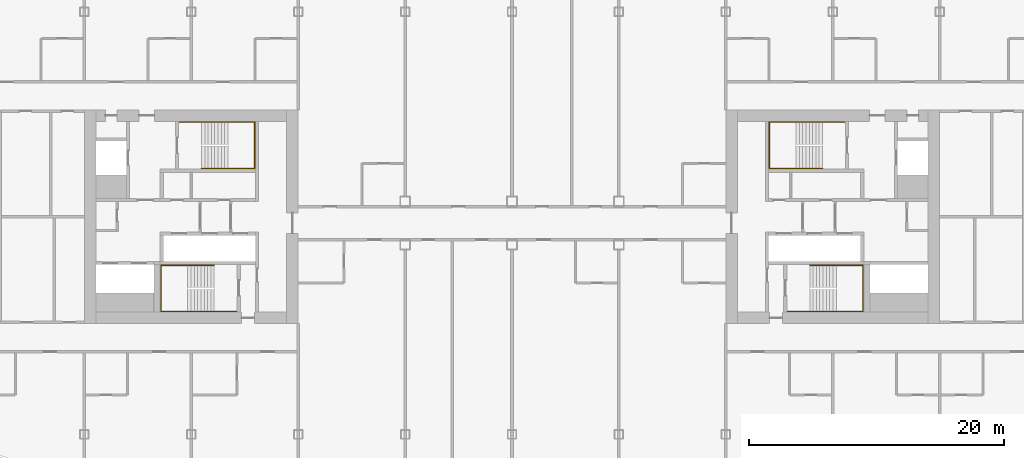
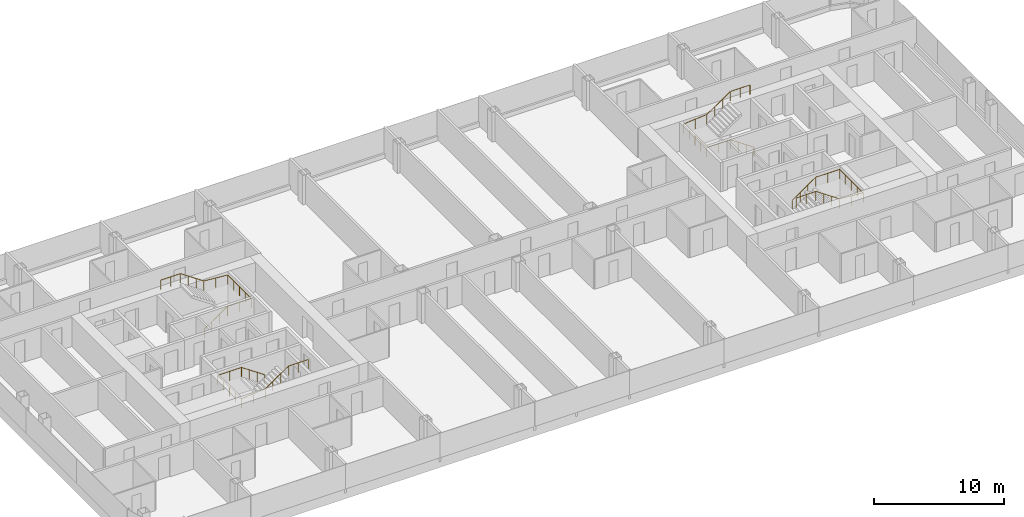
# One storey, part 25 of 25: 4 railings.
"""IFC4 building model written with IfcOpenShell, lengths in metres."""

from ifc_helpers import new_model, si_unit, direction, frame, origin, origin_2d, place, context, subcontext, project, spatial, circle, extrude, material, type_object, element, save


model = new_model("IFC4")

# Units and contexts
model_context = context("Model", 3, precision=1e-05, world=origin(), true_north=direction((0.0, 1.0)))
body_context = subcontext(model_context, "Body", "Model", "MODEL_VIEW")
ifc_project = project(units=[si_unit("LENGTHUNIT", "METRE"), si_unit("AREAUNIT", "SQUARE_METRE"), si_unit("VOLUMEUNIT", "CUBIC_METRE"), si_unit("PLANEANGLEUNIT", "RADIAN"), si_unit("MASSUNIT", "GRAM", prefix="KILO")], contexts=[model_context])

# Site, building, storey
site_placement = place(None, origin())
site = spatial("IfcSite", under=ifc_project, at=site_placement, CompositionType="ELEMENT")
building_placement = place(site_placement, origin())
building = spatial("IfcBuilding", under=site, at=building_placement, Name="Hakoniwa Tower and Hamabe Station Hall", CompositionType="ELEMENT")
storey_placement = place(building_placement, frame((0.0, 0.0, 147.0)))
storey = spatial("IfcBuildingStorey", under=building, at=storey_placement, Name="L41", CompositionType="ELEMENT", Elevation=147.0)

# Railings
ifc_material = material(Name="Stainless steel SUS304", Category="steel")
railing_type = type_object("IfcRailingType", Name="STAIR HANDRAIL 900", PredefinedType="HANDRAIL", material=ifc_material)
railing_1_placement = place(storey_placement, frame((-24.39990234375, 3.81005859375, 0.177734375)))
element("IfcRailing", 1, at=railing_1_placement, inside=storey, type_object=railing_type, Name="Handrail ST-1 L41 1", PredefinedType="HANDRAIL", context=body_context, shape_type="SweptSolid", body=[
    extrude(circle(Radius=0.02392578125, at=origin_2d()), frame((0.0, 0.0, 0.8759765625), z_axis=(0.825433201882, 0.0, 0.564499804456), x_axis=(0.0, 1.0, 0.0)), (0.0, 0.0, 1.0), 2.519775390625),
    extrude(circle(Radius=0.02392578125, at=origin_2d()), frame((2.079833984375, 0.0, 2.29833984375), z_axis=(1.0, 0.0, 0.0), x_axis=(0.0, 1.0, 0.0)), (0.0, 0.0, 1.0), 2.110107421875),
    extrude(circle(Radius=0.02392578125, at=origin_2d()), frame((4.18994140625, 0.0, 2.29833984375), z_axis=(0.0, 1.0, 0.0), x_axis=(-1.0, 0.0, 0.0)), (0.0, 0.0, 1.0), 3.6298828125),
    extrude(circle(Radius=0.02392578125, at=origin_2d()), frame((4.18994140625, 3.6298828125, 2.29833984375), z_axis=(-0.996471417081, 0.0, 0.083932800143), x_axis=(0.0, -1.0, 0.0)), (0.0, 0.0, 1.0), 2.11767578125),
    extrude(circle(Radius=0.02392578125, at=origin_2d()), frame((2.079833984375, 3.6298828125, 2.47607421875), z_axis=(-0.825478349766, 0.0, 0.564433781827), x_axis=(0.0, -1.0, 0.0)), (0.0, 0.0, 1.0), 2.51953125),
    extrude(circle(Radius=0.02392578125, at=origin_2d()), frame((0.0, 3.6298828125, 3.89794921875), z_axis=(-1.0, 0.0, 0.0), x_axis=(0.0, -1.0, 0.0)), (0.0, 0.0, 1.0), 1.739990234375),
    extrude(circle(Radius=0.02099609375, at=origin_2d()), origin(), (0.0, 0.0, 1.0), 0.851806640625),
    extrude(circle(Radius=0.02099609375, at=origin_2d()), frame((0.693359375, 0.0, 0.47412109375)), (0.0, 0.0, 1.0), 0.851806640625),
    extrude(circle(Radius=0.02099609375, at=origin_2d()), frame((1.386474609375, 0.0, 0.9482421875)), (0.0, 0.0, 1.0), 0.851806640625),
    extrude(circle(Radius=0.02099609375, at=origin_2d()), frame((2.079833984375, 0.0, 1.42236328125)), (0.0, 0.0, 1.0), 0.851806640625),
    extrude(circle(Radius=0.02099609375, at=origin_2d()), frame((3.134765625, 0.0, 1.42236328125)), (0.0, 0.0, 1.0), 0.851806640625),
    extrude(circle(Radius=0.02099609375, at=origin_2d()), frame((4.18994140625, 0.0, 1.42236328125)), (0.0, 0.0, 1.0), 0.851806640625),
    extrude(circle(Radius=0.02099609375, at=origin_2d()), frame((4.18994140625, 0.907470703125, 1.42236328125)), (0.0, 0.0, 1.0), 0.851806640625),
    extrude(circle(Radius=0.02099609375, at=origin_2d()), frame((4.18994140625, 1.81494140625, 1.42236328125)), (0.0, 0.0, 1.0), 0.851806640625),
    extrude(circle(Radius=0.02099609375, at=origin_2d()), frame((4.18994140625, 2.722412109375, 1.42236328125)), (0.0, 0.0, 1.0), 0.851806640625),
    extrude(circle(Radius=0.02099609375, at=origin_2d()), frame((4.18994140625, 3.6298828125, 1.42236328125)), (0.0, 0.0, 1.0), 0.851806640625),
    extrude(circle(Radius=0.02099609375, at=origin_2d()), frame((3.134765625, 3.6298828125, 1.51123046875)), (0.0, 0.0, 1.0), 0.851806640625),
    extrude(circle(Radius=0.02099609375, at=origin_2d()), frame((2.079833984375, 3.6298828125, 1.60009765625)), (0.0, 0.0, 1.0), 0.851806640625),
    extrude(circle(Radius=0.02099609375, at=origin_2d()), frame((1.386474609375, 3.6298828125, 2.07421875)), (0.0, 0.0, 1.0), 0.851806640625),
    extrude(circle(Radius=0.02099609375, at=origin_2d()), frame((0.693359375, 3.6298828125, 2.548095703125)), (0.0, 0.0, 1.0), 0.851806640625),
    extrude(circle(Radius=0.02099609375, at=origin_2d()), frame((0.0, 3.6298828125, 3.022216796875)), (0.0, 0.0, 1.0), 0.851806640625),
    extrude(circle(Radius=0.02099609375, at=origin_2d()), frame((-0.8701171875, 3.6298828125, 3.022216796875)), (0.0, 0.0, 1.0), 0.851806640625),
    extrude(circle(Radius=0.02099609375, at=origin_2d()), frame((-1.739990234375, 3.6298828125, 3.022216796875)), (0.0, 0.0, 1.0), 0.851806640625),
])
railing_2_placement = place(storey_placement, frame((-23.39990234375, -3.81005859375, 0.177734375)))
element("IfcRailing", 2, at=railing_2_placement, inside=storey, type_object=railing_type, Name="Handrail ST-2 L41 1", PredefinedType="HANDRAIL", context=body_context, shape_type="SweptSolid", body=[
    extrude(circle(Radius=0.02392578125, at=origin_2d()), frame((0.0, 0.0, 0.8759765625), z_axis=(-0.825464074169, 0.0, 0.564454659168), x_axis=(0.0, -1.0, 0.0)), (0.0, 0.0, 1.0), 2.519775390625),
    extrude(circle(Radius=0.02392578125, at=origin_2d()), frame((-2.080078125, 0.0, 2.29833984375), z_axis=(-1.0, 0.0, 0.0), x_axis=(0.0, -1.0, 0.0)), (0.0, 0.0, 1.0), 2.110107421875),
    extrude(circle(Radius=0.02392578125, at=origin_2d()), frame((-4.190185546875, 0.0, 2.29833984375), z_axis=(0.0, -1.0, 0.0), x_axis=(1.0, 0.0, 0.0)), (0.0, 0.0, 1.0), 3.6298828125),
    extrude(circle(Radius=0.02392578125, at=origin_2d()), frame((-4.190185546875, -3.6298828125, 2.29833984375), z_axis=(0.996471417081, 0.0, 0.083932800143), x_axis=(0.0, 1.0, 0.0)), (0.0, 0.0, 1.0), 2.11767578125),
    extrude(circle(Radius=0.02392578125, at=origin_2d()), frame((-2.080078125, -3.6298828125, 2.47607421875), z_axis=(0.82550921652, 0.0, 0.564388636881), x_axis=(0.0, 1.0, 0.0)), (0.0, 0.0, 1.0), 2.519775390625),
    extrude(circle(Radius=0.02392578125, at=origin_2d()), frame((0.0, -3.6298828125, 3.89794921875), z_axis=(1.0, 0.0, 0.0), x_axis=(0.0, 1.0, 0.0)), (0.0, 0.0, 1.0), 1.739990234375),
    extrude(circle(Radius=0.02099609375, at=origin_2d()), origin(), (0.0, 0.0, 1.0), 0.851806640625),
    extrude(circle(Radius=0.02099609375, at=origin_2d()), frame((-0.693359375, 0.0, 0.47412109375)), (0.0, 0.0, 1.0), 0.851806640625),
    extrude(circle(Radius=0.02099609375, at=origin_2d()), frame((-1.38671875, 0.0, 0.9482421875)), (0.0, 0.0, 1.0), 0.851806640625),
    extrude(circle(Radius=0.02099609375, at=origin_2d()), frame((-2.080078125, 0.0, 1.42236328125)), (0.0, 0.0, 1.0), 0.851806640625),
    extrude(circle(Radius=0.02099609375, at=origin_2d()), frame((-3.13525390625, 0.0, 1.42236328125)), (0.0, 0.0, 1.0), 0.851806640625),
    extrude(circle(Radius=0.02099609375, at=origin_2d()), frame((-4.190185546875, 0.0, 1.42236328125)), (0.0, 0.0, 1.0), 0.851806640625),
    extrude(circle(Radius=0.02099609375, at=origin_2d()), frame((-4.190185546875, -0.907470703125, 1.42236328125)), (0.0, 0.0, 1.0), 0.851806640625),
    extrude(circle(Radius=0.02099609375, at=origin_2d()), frame((-4.190185546875, -1.81494140625, 1.42236328125)), (0.0, 0.0, 1.0), 0.851806640625),
    extrude(circle(Radius=0.02099609375, at=origin_2d()), frame((-4.190185546875, -2.722412109375, 1.42236328125)), (0.0, 0.0, 1.0), 0.851806640625),
    extrude(circle(Radius=0.02099609375, at=origin_2d()), frame((-4.190185546875, -3.6298828125, 1.42236328125)), (0.0, 0.0, 1.0), 0.851806640625),
    extrude(circle(Radius=0.02099609375, at=origin_2d()), frame((-3.13525390625, -3.6298828125, 1.51123046875)), (0.0, 0.0, 1.0), 0.851806640625),
    extrude(circle(Radius=0.02099609375, at=origin_2d()), frame((-2.080078125, -3.6298828125, 1.60009765625)), (0.0, 0.0, 1.0), 0.851806640625),
    extrude(circle(Radius=0.02099609375, at=origin_2d()), frame((-1.38671875, -3.6298828125, 2.07421875)), (0.0, 0.0, 1.0), 0.851806640625),
    extrude(circle(Radius=0.02099609375, at=origin_2d()), frame((-0.693359375, -3.6298828125, 2.548095703125)), (0.0, 0.0, 1.0), 0.851806640625),
    extrude(circle(Radius=0.02099609375, at=origin_2d()), frame((0.0, -3.6298828125, 3.022216796875)), (0.0, 0.0, 1.0), 0.851806640625),
    extrude(circle(Radius=0.02099609375, at=origin_2d()), frame((0.8701171875, -3.6298828125, 3.022216796875)), (0.0, 0.0, 1.0), 0.851806640625),
    extrude(circle(Radius=0.02099609375, at=origin_2d()), frame((1.739990234375, -3.6298828125, 3.022216796875)), (0.0, 0.0, 1.0), 0.851806640625),
])
railing_3_placement = place(storey_placement, frame((24.39990234375, 3.81005859375, 0.177734375)))
element("IfcRailing", 3, at=railing_3_placement, inside=storey, type_object=railing_type, Name="Handrail ST-3 L41 1", PredefinedType="HANDRAIL", context=body_context, shape_type="SweptSolid", body=[
    extrude(circle(Radius=0.02392578125, at=origin_2d()), frame((0.0, 0.0, 0.8759765625), z_axis=(-0.825433201882, 0.0, 0.564499804456), x_axis=(0.0, -1.0, 0.0)), (0.0, 0.0, 1.0), 2.519775390625),
    extrude(circle(Radius=0.02392578125, at=origin_2d()), frame((-2.079833984375, 0.0, 2.29833984375), z_axis=(-1.0, 0.0, 0.0), x_axis=(0.0, -1.0, 0.0)), (0.0, 0.0, 1.0), 2.110107421875),
    extrude(circle(Radius=0.02392578125, at=origin_2d()), frame((-4.18994140625, 0.0, 2.29833984375), z_axis=(0.0, 1.0, 0.0), x_axis=(-1.0, 0.0, 0.0)), (0.0, 0.0, 1.0), 3.6298828125),
    extrude(circle(Radius=0.02392578125, at=origin_2d()), frame((-4.18994140625, 3.6298828125, 2.29833984375), z_axis=(0.996471417081, 0.0, 0.083932800143), x_axis=(0.0, 1.0, 0.0)), (0.0, 0.0, 1.0), 2.11767578125),
    extrude(circle(Radius=0.02392578125, at=origin_2d()), frame((-2.079833984375, 3.6298828125, 2.47607421875), z_axis=(0.825478349766, 0.0, 0.564433781827), x_axis=(0.0, 1.0, 0.0)), (0.0, 0.0, 1.0), 2.51953125),
    extrude(circle(Radius=0.02392578125, at=origin_2d()), frame((0.0, 3.6298828125, 3.89794921875), z_axis=(1.0, 0.0, 0.0), x_axis=(0.0, 1.0, 0.0)), (0.0, 0.0, 1.0), 1.739990234375),
    extrude(circle(Radius=0.02099609375, at=origin_2d()), origin(), (0.0, 0.0, 1.0), 0.851806640625),
    extrude(circle(Radius=0.02099609375, at=origin_2d()), frame((-0.693359375, 0.0, 0.47412109375)), (0.0, 0.0, 1.0), 0.851806640625),
    extrude(circle(Radius=0.02099609375, at=origin_2d()), frame((-1.386474609375, 0.0, 0.9482421875)), (0.0, 0.0, 1.0), 0.851806640625),
    extrude(circle(Radius=0.02099609375, at=origin_2d()), frame((-2.079833984375, 0.0, 1.42236328125)), (0.0, 0.0, 1.0), 0.851806640625),
    extrude(circle(Radius=0.02099609375, at=origin_2d()), frame((-3.134765625, 0.0, 1.42236328125)), (0.0, 0.0, 1.0), 0.851806640625),
    extrude(circle(Radius=0.02099609375, at=origin_2d()), frame((-4.18994140625, 0.0, 1.42236328125)), (0.0, 0.0, 1.0), 0.851806640625),
    extrude(circle(Radius=0.02099609375, at=origin_2d()), frame((-4.18994140625, 0.907470703125, 1.42236328125)), (0.0, 0.0, 1.0), 0.851806640625),
    extrude(circle(Radius=0.02099609375, at=origin_2d()), frame((-4.18994140625, 1.81494140625, 1.42236328125)), (0.0, 0.0, 1.0), 0.851806640625),
    extrude(circle(Radius=0.02099609375, at=origin_2d()), frame((-4.18994140625, 2.722412109375, 1.42236328125)), (0.0, 0.0, 1.0), 0.851806640625),
    extrude(circle(Radius=0.02099609375, at=origin_2d()), frame((-4.18994140625, 3.6298828125, 1.42236328125)), (0.0, 0.0, 1.0), 0.851806640625),
    extrude(circle(Radius=0.02099609375, at=origin_2d()), frame((-3.134765625, 3.6298828125, 1.51123046875)), (0.0, 0.0, 1.0), 0.851806640625),
    extrude(circle(Radius=0.02099609375, at=origin_2d()), frame((-2.079833984375, 3.6298828125, 1.60009765625)), (0.0, 0.0, 1.0), 0.851806640625),
    extrude(circle(Radius=0.02099609375, at=origin_2d()), frame((-1.386474609375, 3.6298828125, 2.07421875)), (0.0, 0.0, 1.0), 0.851806640625),
    extrude(circle(Radius=0.02099609375, at=origin_2d()), frame((-0.693359375, 3.6298828125, 2.548095703125)), (0.0, 0.0, 1.0), 0.851806640625),
    extrude(circle(Radius=0.02099609375, at=origin_2d()), frame((0.0, 3.6298828125, 3.022216796875)), (0.0, 0.0, 1.0), 0.851806640625),
    extrude(circle(Radius=0.02099609375, at=origin_2d()), frame((0.8701171875, 3.6298828125, 3.022216796875)), (0.0, 0.0, 1.0), 0.851806640625),
    extrude(circle(Radius=0.02099609375, at=origin_2d()), frame((1.739990234375, 3.6298828125, 3.022216796875)), (0.0, 0.0, 1.0), 0.851806640625),
])
railing_4_placement = place(storey_placement, frame((23.39990234375, -3.81005859375, 0.177734375)))
element("IfcRailing", 4, at=railing_4_placement, inside=storey, type_object=railing_type, Name="Handrail ST-4 L41 1", PredefinedType="HANDRAIL", context=body_context, shape_type="SweptSolid", body=[
    extrude(circle(Radius=0.02392578125, at=origin_2d()), frame((0.0, 0.0, 0.8759765625), z_axis=(0.825464074169, 0.0, 0.564454659168), x_axis=(0.0, 1.0, 0.0)), (0.0, 0.0, 1.0), 2.519775390625),
    extrude(circle(Radius=0.02392578125, at=origin_2d()), frame((2.080078125, 0.0, 2.29833984375), z_axis=(1.0, 0.0, 0.0), x_axis=(0.0, 1.0, 0.0)), (0.0, 0.0, 1.0), 2.110107421875),
    extrude(circle(Radius=0.02392578125, at=origin_2d()), frame((4.190185546875, 0.0, 2.29833984375), z_axis=(0.0, -1.0, 0.0), x_axis=(1.0, 0.0, 0.0)), (0.0, 0.0, 1.0), 3.6298828125),
    extrude(circle(Radius=0.02392578125, at=origin_2d()), frame((4.190185546875, -3.6298828125, 2.29833984375), z_axis=(-0.996471417081, 0.0, 0.083932800143), x_axis=(0.0, -1.0, 0.0)), (0.0, 0.0, 1.0), 2.11767578125),
    extrude(circle(Radius=0.02392578125, at=origin_2d()), frame((2.080078125, -3.6298828125, 2.47607421875), z_axis=(-0.82550921652, 0.0, 0.564388636881), x_axis=(0.0, -1.0, 0.0)), (0.0, 0.0, 1.0), 2.519775390625),
    extrude(circle(Radius=0.02392578125, at=origin_2d()), frame((0.0, -3.6298828125, 3.89794921875), z_axis=(-1.0, 0.0, 0.0), x_axis=(0.0, -1.0, 0.0)), (0.0, 0.0, 1.0), 1.739990234375),
    extrude(circle(Radius=0.02099609375, at=origin_2d()), origin(), (0.0, 0.0, 1.0), 0.851806640625),
    extrude(circle(Radius=0.02099609375, at=origin_2d()), frame((0.693359375, 0.0, 0.47412109375)), (0.0, 0.0, 1.0), 0.851806640625),
    extrude(circle(Radius=0.02099609375, at=origin_2d()), frame((1.38671875, 0.0, 0.9482421875)), (0.0, 0.0, 1.0), 0.851806640625),
    extrude(circle(Radius=0.02099609375, at=origin_2d()), frame((2.080078125, 0.0, 1.42236328125)), (0.0, 0.0, 1.0), 0.851806640625),
    extrude(circle(Radius=0.02099609375, at=origin_2d()), frame((3.13525390625, 0.0, 1.42236328125)), (0.0, 0.0, 1.0), 0.851806640625),
    extrude(circle(Radius=0.02099609375, at=origin_2d()), frame((4.190185546875, 0.0, 1.42236328125)), (0.0, 0.0, 1.0), 0.851806640625),
    extrude(circle(Radius=0.02099609375, at=origin_2d()), frame((4.190185546875, -0.907470703125, 1.42236328125)), (0.0, 0.0, 1.0), 0.851806640625),
    extrude(circle(Radius=0.02099609375, at=origin_2d()), frame((4.190185546875, -1.81494140625, 1.42236328125)), (0.0, 0.0, 1.0), 0.851806640625),
    extrude(circle(Radius=0.02099609375, at=origin_2d()), frame((4.190185546875, -2.722412109375, 1.42236328125)), (0.0, 0.0, 1.0), 0.851806640625),
    extrude(circle(Radius=0.02099609375, at=origin_2d()), frame((4.190185546875, -3.6298828125, 1.42236328125)), (0.0, 0.0, 1.0), 0.851806640625),
    extrude(circle(Radius=0.02099609375, at=origin_2d()), frame((3.13525390625, -3.6298828125, 1.51123046875)), (0.0, 0.0, 1.0), 0.851806640625),
    extrude(circle(Radius=0.02099609375, at=origin_2d()), frame((2.080078125, -3.6298828125, 1.60009765625)), (0.0, 0.0, 1.0), 0.851806640625),
    extrude(circle(Radius=0.02099609375, at=origin_2d()), frame((1.38671875, -3.6298828125, 2.07421875)), (0.0, 0.0, 1.0), 0.851806640625),
    extrude(circle(Radius=0.02099609375, at=origin_2d()), frame((0.693359375, -3.6298828125, 2.548095703125)), (0.0, 0.0, 1.0), 0.851806640625),
    extrude(circle(Radius=0.02099609375, at=origin_2d()), frame((0.0, -3.6298828125, 3.022216796875)), (0.0, 0.0, 1.0), 0.851806640625),
    extrude(circle(Radius=0.02099609375, at=origin_2d()), frame((-0.8701171875, -3.6298828125, 3.022216796875)), (0.0, 0.0, 1.0), 0.851806640625),
    extrude(circle(Radius=0.02099609375, at=origin_2d()), frame((-1.739990234375, -3.6298828125, 3.022216796875)), (0.0, 0.0, 1.0), 0.851806640625),
])

save(model, "model.ifc")
